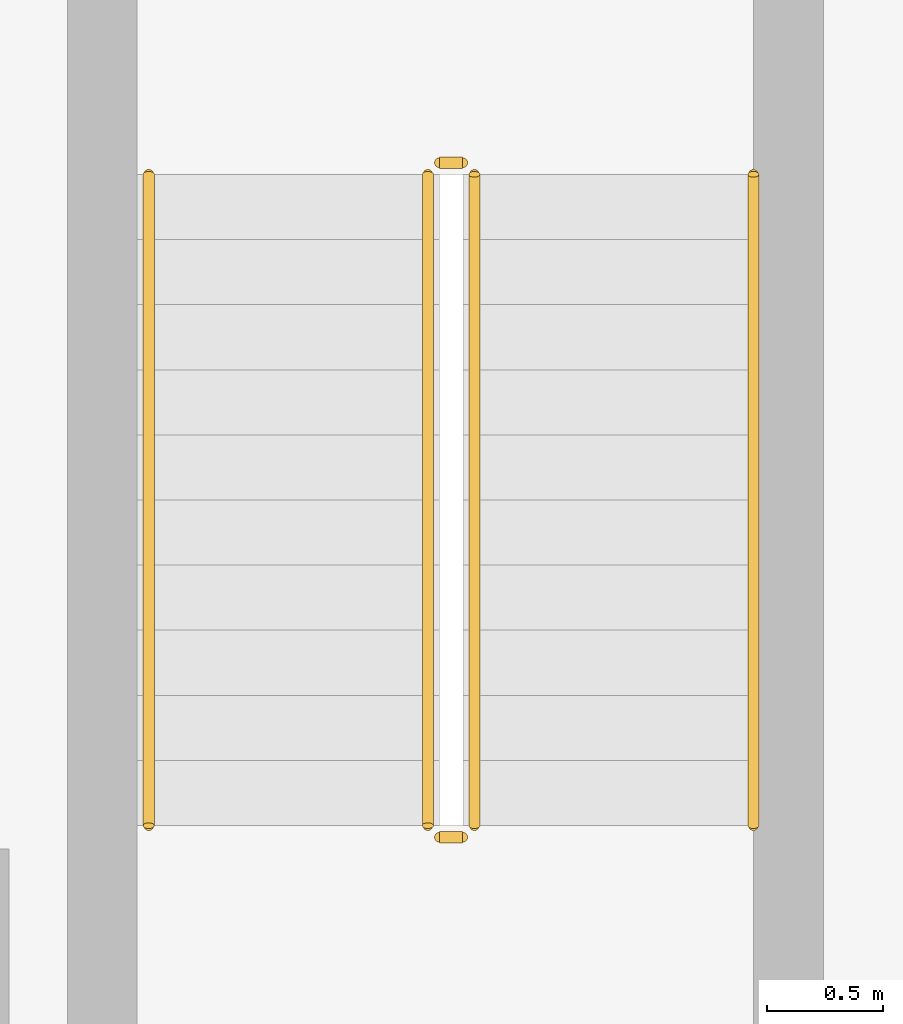
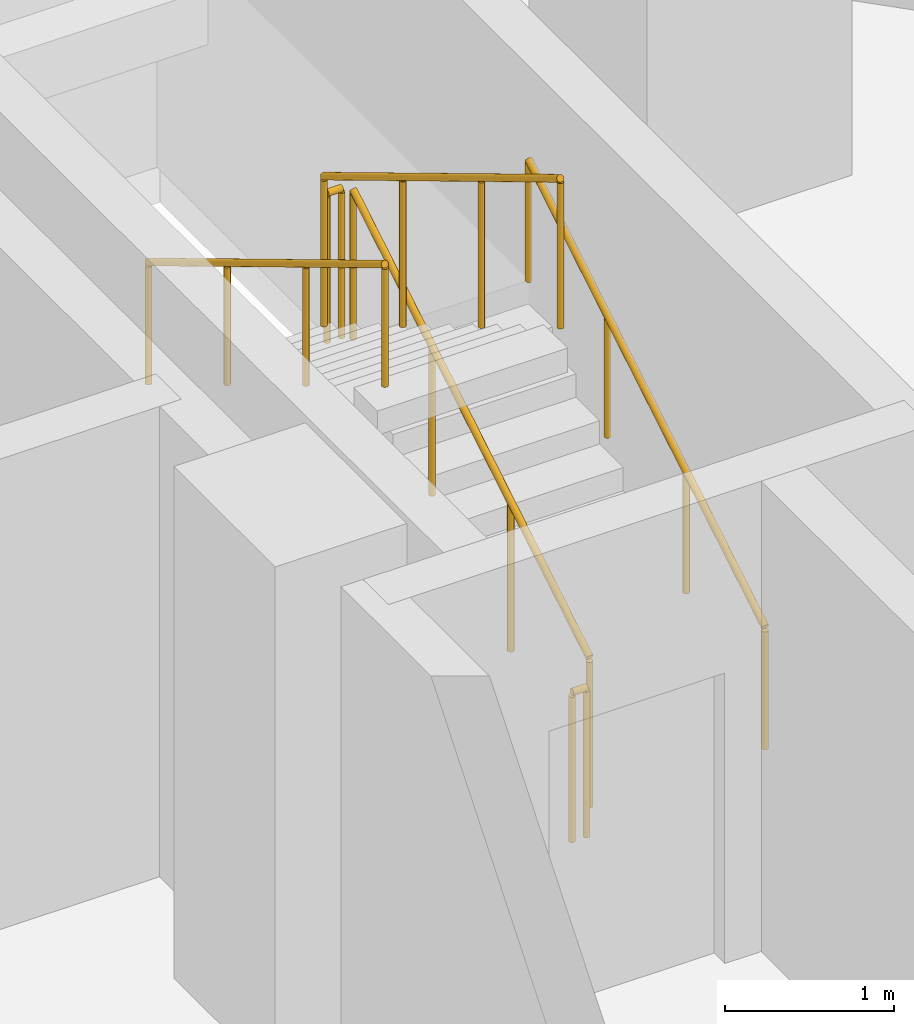
# One storey, part 31 of 32: 6 railings.
"""IFC4 building model written with IfcOpenShell, lengths in metres."""

from ifc_helpers import new_model, si_unit, direction, frame, origin, origin_2d, place, context, subcontext, project, spatial, circle, extrude, material, type_object, element, save


model = new_model("IFC4")

# Units and contexts
model_context = context("Model", 3, precision=1e-05, world=origin(), true_north=direction((0.0, 1.0)))
body_context = subcontext(model_context, "Body", "Model", "MODEL_VIEW")
ifc_project = project(units=[si_unit("LENGTHUNIT", "METRE"), si_unit("AREAUNIT", "SQUARE_METRE"), si_unit("VOLUMEUNIT", "CUBIC_METRE"), si_unit("PLANEANGLEUNIT", "RADIAN"), si_unit("MASSUNIT", "GRAM", prefix="KILO")], contexts=[model_context])

# Site, building, storey
site_placement = place(None, origin())
site = spatial("IfcSite", under=ifc_project, at=site_placement, CompositionType="ELEMENT")
building_placement = place(site_placement, origin())
building = spatial("IfcBuilding", under=site, at=building_placement, Name="Ogive Portal Towers", CompositionType="ELEMENT")
storey_placement = place(building_placement, frame((0.0, 0.0, 59.39990234375)))
storey = spatial("IfcBuildingStorey", under=building, at=storey_placement, Name="L13", CompositionType="ELEMENT", Elevation=59.39990234375)

# Railings
ifc_material_1 = material(Name="Stainless steel balustrade", Category="steel")
railing_type_1 = type_object("IfcRailingType", Name="INT-GUARD", PredefinedType="GUARDRAIL", material=ifc_material_1)
railing_1_placement = place(storey_placement, frame((42.949951171875, 67.199951171875, 0.168212890625)))
element("IfcRailing", 1, at=railing_1_placement, inside=storey, type_object=railing_type_1, Name="L13 ST-A3 stair guard 1", PredefinedType="GUARDRAIL", context=body_context, shape_type="SweptSolid", body=[
    extrude(circle(Radius=0.02392578125, at=origin_2d()), frame((0.0, 0.0, 1.076171875), z_axis=(0.0, 0.857242210791, 0.514913383045), x_axis=(-1.0, 0.0, 0.0)), (0.0, 0.0, 1.0), 3.266357421875),
    extrude(circle(Radius=0.02099609375, at=origin_2d()), origin(), (0.0, 0.0, 1.0), 1.052001953125),
    extrude(circle(Radius=0.02099609375, at=origin_2d()), frame((0.0, 0.933349609375, 0.560546875)), (0.0, 0.0, 1.0), 1.052001953125),
    extrude(circle(Radius=0.02099609375, at=origin_2d()), frame((0.0, 1.86669921875, 1.121337890625)), (0.0, 0.0, 1.0), 1.052001953125),
    extrude(circle(Radius=0.02099609375, at=origin_2d()), frame((0.0, 2.800048828125, 1.681884765625)), (0.0, 0.0, 1.0), 1.052001953125),
])
railing_2_placement = place(storey_placement, frame((42.89990234375, 70.050048828125, 1.85009765625)))
element("IfcRailing", 2, at=railing_2_placement, inside=storey, type_object=railing_type_1, Name="L13 ST-A3 stair guard 2", PredefinedType="GUARDRAIL", context=body_context, shape_type="SweptSolid", body=[
    extrude(circle(Radius=0.02392578125, at=origin_2d()), frame((0.0, 0.0, 1.076171875), z_axis=(-1.0, 0.0, 0.0), x_axis=(0.0, -1.0, 0.0)), (0.0, 0.0, 1.0), 0.099853515625),
    extrude(circle(Radius=0.02099609375, at=origin_2d()), origin(), (0.0, 0.0, 1.0), 1.052001953125),
    extrude(circle(Radius=0.02099609375, at=origin_2d()), frame((-0.099853515625, 0.0, 0.0)), (0.0, 0.0, 1.0), 1.052001953125),
])
railing_3_placement = place(storey_placement, frame((42.75, 70.0, 2.018310546875)))
element("IfcRailing", 3, at=railing_3_placement, inside=storey, type_object=railing_type_1, Name="L13 ST-A3 stair guard 3", PredefinedType="GUARDRAIL", context=body_context, shape_type="SweptSolid", body=[
    extrude(circle(Radius=0.02392578125, at=origin_2d()), frame((0.0, 0.0, 1.076171875), z_axis=(0.0, -0.857242210791, 0.514913383045), x_axis=(1.0, 0.0, 0.0)), (0.0, 0.0, 1.0), 3.266357421875),
    extrude(circle(Radius=0.02099609375, at=origin_2d()), origin(), (0.0, 0.0, 1.0), 1.052001953125),
    extrude(circle(Radius=0.02099609375, at=origin_2d()), frame((0.0, -0.933349609375, 0.560546875)), (0.0, 0.0, 1.0), 1.052001953125),
    extrude(circle(Radius=0.02099609375, at=origin_2d()), frame((0.0, -1.86669921875, 1.121337890625)), (0.0, 0.0, 1.0), 1.052001953125),
    extrude(circle(Radius=0.02099609375, at=origin_2d()), frame((0.0, -2.800048828125, 1.681884765625)), (0.0, 0.0, 1.0), 1.052001953125),
])
railing_4_placement = place(storey_placement, frame((42.89990234375, 67.14990234375, 0.0)))
element("IfcRailing", 4, at=railing_4_placement, inside=storey, type_object=railing_type_1, Name="L13 ST-A3 stair guard 4", PredefinedType="GUARDRAIL", context=body_context, shape_type="SweptSolid", body=[
    extrude(circle(Radius=0.02392578125, at=origin_2d()), frame((0.0, 0.0, 1.076171875), z_axis=(-1.0, 0.0, 0.0), x_axis=(0.0, -1.0, 0.0)), (0.0, 0.0, 1.0), 0.099853515625),
    extrude(circle(Radius=0.02099609375, at=origin_2d()), origin(), (0.0, 0.0, 1.0), 1.052001953125),
    extrude(circle(Radius=0.02099609375, at=origin_2d()), frame((-0.099853515625, 0.0, 0.0)), (0.0, 0.0, 1.0), 1.052001953125),
])
ifc_material_2 = material(Name="Stainless steel handrail", Category="steel")
railing_type_2 = type_object("IfcRailingType", Name="INT-HANDRAIL", PredefinedType="HANDRAIL", material=ifc_material_2)
railing_5_placement = place(storey_placement, frame((44.14990234375, 67.199951171875, 0.168212890625)))
element("IfcRailing", 5, at=railing_5_placement, inside=storey, type_object=railing_type_2, Name="L13 ST-A3 stair handrail 1", PredefinedType="HANDRAIL", context=body_context, shape_type="SweptSolid", body=[
    extrude(circle(Radius=0.02392578125, at=origin_2d()), frame((0.0, 0.0, 0.8759765625), z_axis=(0.0, 0.857242210791, 0.514913383045), x_axis=(-1.0, 0.0, 0.0)), (0.0, 0.0, 1.0), 3.266357421875),
    extrude(circle(Radius=0.02099609375, at=origin_2d()), origin(), (0.0, 0.0, 1.0), 0.851806640625),
    extrude(circle(Radius=0.02099609375, at=origin_2d()), frame((0.0, 0.933349609375, 0.560546875)), (0.0, 0.0, 1.0), 0.851806640625),
    extrude(circle(Radius=0.02099609375, at=origin_2d()), frame((0.0, 1.86669921875, 1.121337890625)), (0.0, 0.0, 1.0), 0.851806640625),
    extrude(circle(Radius=0.02099609375, at=origin_2d()), frame((0.0, 2.800048828125, 1.681884765625)), (0.0, 0.0, 1.0), 0.851806640625),
])
railing_6_placement = place(storey_placement, frame((41.550048828125, 70.0, 2.018310546875)))
element("IfcRailing", 6, at=railing_6_placement, inside=storey, type_object=railing_type_2, Name="L13 ST-A3 stair handrail 2", PredefinedType="HANDRAIL", context=body_context, shape_type="SweptSolid", body=[
    extrude(circle(Radius=0.02392578125, at=origin_2d()), frame((0.0, 0.0, 0.8759765625), z_axis=(0.0, -0.857242210791, 0.514913383045), x_axis=(1.0, 0.0, 0.0)), (0.0, 0.0, 1.0), 3.266357421875),
    extrude(circle(Radius=0.02099609375, at=origin_2d()), origin(), (0.0, 0.0, 1.0), 0.851806640625),
    extrude(circle(Radius=0.02099609375, at=origin_2d()), frame((0.0, -0.933349609375, 0.560546875)), (0.0, 0.0, 1.0), 0.851806640625),
    extrude(circle(Radius=0.02099609375, at=origin_2d()), frame((0.0, -1.86669921875, 1.121337890625)), (0.0, 0.0, 1.0), 0.851806640625),
    extrude(circle(Radius=0.02099609375, at=origin_2d()), frame((0.0, -2.800048828125, 1.681884765625)), (0.0, 0.0, 1.0), 0.851806640625),
])

save(model, "model.ifc")
